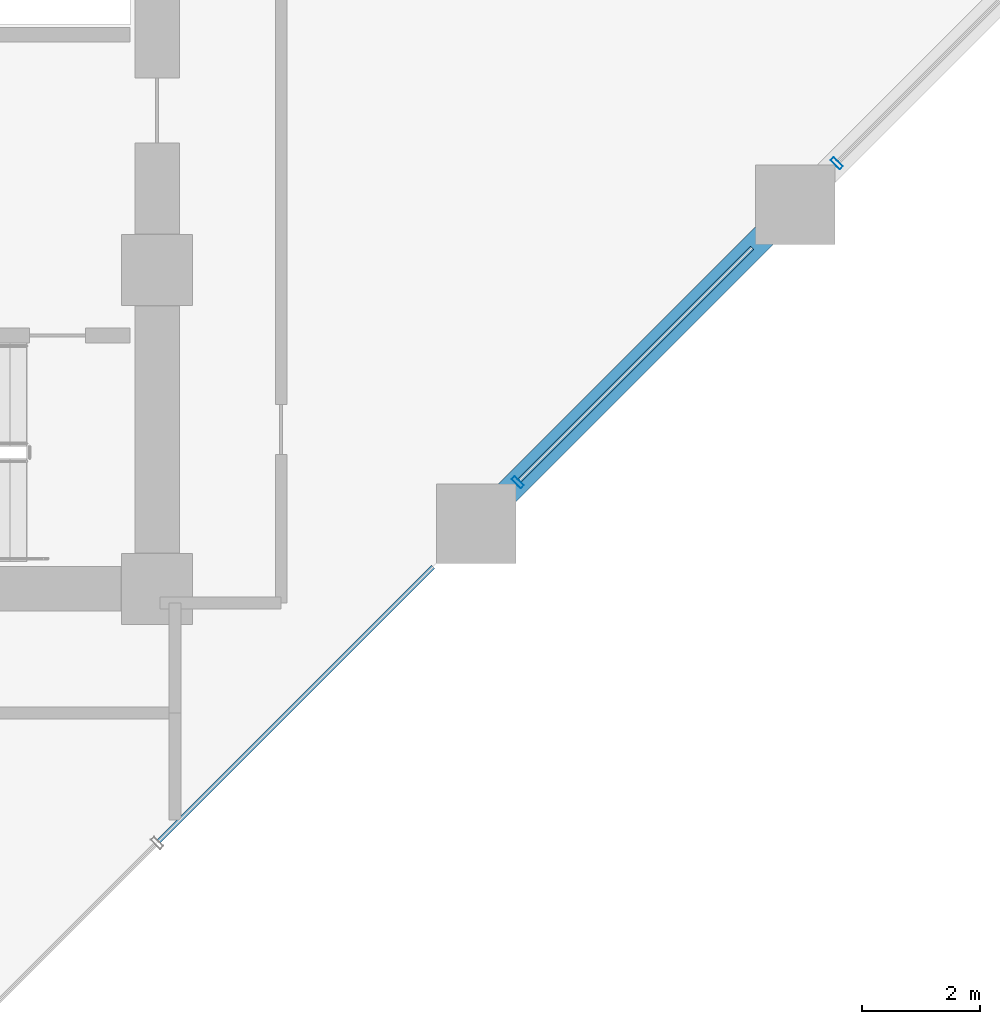
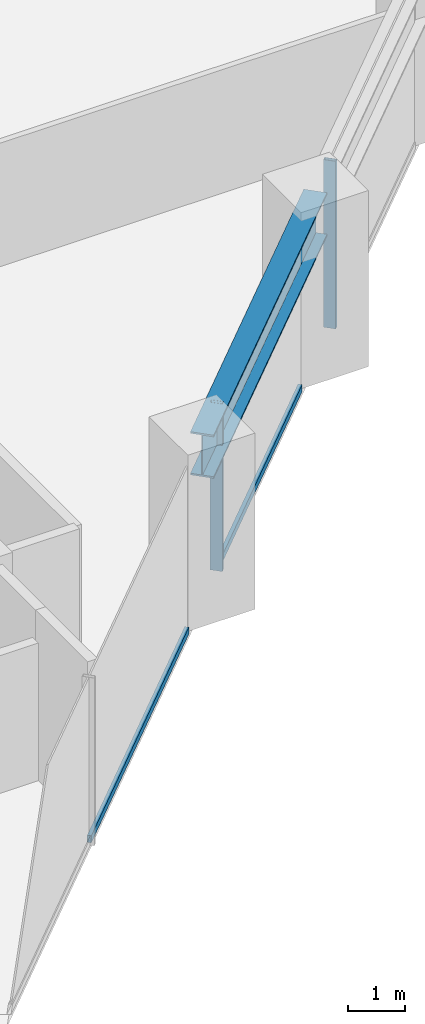
# One storey, part 8 of 25: 4 members, 1 beam, 1 element without a shape of its own.
"""IFC4 building model written with IfcOpenShell, lengths in metres."""

from ifc_helpers import new_model, si_unit, direction, frame, origin, origin_2d, place, context, subcontext, project, spatial, hollow_rectangle, i_section, extrude, material, layer, layer_set, material_profile, profile_set, type_object, element, aggregate, save


model = new_model("IFC4")

# Units and contexts
model_context = context("Model", 3, precision=1e-05, world=origin(), true_north=direction((0.0, 1.0)))
body_context = subcontext(model_context, "Body", "Model", "MODEL_VIEW")
ifc_project = project(units=[si_unit("LENGTHUNIT", "METRE"), si_unit("AREAUNIT", "SQUARE_METRE"), si_unit("VOLUMEUNIT", "CUBIC_METRE"), si_unit("PLANEANGLEUNIT", "RADIAN"), si_unit("MASSUNIT", "GRAM", prefix="KILO")], contexts=[model_context])

# Site, building, storey
site_placement = place(None, origin())
site = spatial("IfcSite", under=ifc_project, at=site_placement, CompositionType="ELEMENT")
building_placement = place(site_placement, origin())
building = spatial("IfcBuilding", under=site, at=building_placement, Name="Surkhivell Harbour Commons", CompositionType="ELEMENT")
storey_placement = place(building_placement, frame((0.0, 0.0, 33.75)))
storey = spatial("IfcBuildingStorey", under=building, at=storey_placement, Name="L08", CompositionType="ELEMENT", Elevation=33.75)

# Beam
ifc_material_1 = material(Name="Steel S460", Category="steel")
ifc_material_profile_1 = material_profile(ifc_material_1, i_section(OverallWidth=0.419921875, OverallDepth=0.9208984375, WebThickness=0.021484375, FlangeThickness=0.03662109375, at=origin_2d()), Name="UB914x419x388")
ifc_profile_set_1 = profile_set([ifc_material_profile_1], Name="Steel S460")
beam_type = type_object("IfcBeamType", Name="BM-SPN-914A", PredefinedType="SPANDREL", material=ifc_profile_set_1)
beam_placement = place(storey_placement, frame((16.199951171875, -9.699951171875, 3.109619140625), z_axis=(0.707122765516, 0.707090796496, 0.0), x_axis=(-0.707090796496, 0.707122765516, 0.0)))
element("IfcBeam", 1, at=beam_placement, inside=storey, type_object=beam_type, Name="L08 Tube Spandrel (16.2,-9.7)", PredefinedType="SPANDREL", context=body_context, shape_type="SweptSolid", body=[
    extrude(i_section(OverallWidth=0.419921875, OverallDepth=0.9208984375, WebThickness=0.021484375, FlangeThickness=0.03662109375, at=origin_2d()), origin(), (0.0, 0.0, 1.0), 7.63671875),
])

# Curtain wall, members
ifc_material_2 = material(Name="Anodised pale-metal aluminium and insulated glazing", Category="aluminium")
ifc_layer = layer(ifc_material_2, 0.219970703125)
ifc_layer_set = layer_set([ifc_layer], Name="Anodised pale-metal aluminium and insulated glazing")
curtain_wall_type = type_object("IfcCurtainWallType", Name="CW-SYS-Z1", PredefinedType="NOTDEFINED", material=ifc_layer_set)
curtain_wall_placement = place(storey_placement, origin())
curtain_wall = element("IfcCurtainWall", 2, at=curtain_wall_placement, inside=storey, type_object=curtain_wall_type, Name="L08 Curtain Wall CW-L08-E01", PredefinedType="NOTDEFINED")
ifc_material_3 = material(Name="Anodised pale-metal aluminium alloy 6063-T6", Category="aluminium")
ifc_material_profile_2 = material_profile(ifc_material_3, hollow_rectangle(XDim=0.074951171875, YDim=0.219970703125, WallThickness=0.00390625, at=origin_2d()), Name="ALU-MULL-75x220")
ifc_profile_set_2 = profile_set([ifc_material_profile_2], Name="Anodised pale-metal aluminium alloy 6063-T6")
member_type_1 = type_object("IfcMemberType", Name="CWM-220", PredefinedType="MULLION", material=ifc_profile_set_2)
member_1_placement = place(storey_placement, frame((16.9033203125, -8.99658203125, 0.0), z_axis=(0.0, 0.0, 1.0), x_axis=(0.707106781187, 0.707106781187, 0.0)))
member_1 = element("IfcMember", 3, at=member_1_placement, type_object=member_type_1, Name="CW-Z1 mullion 4", PredefinedType="MULLION", context=body_context, shape_type="SweptSolid", body=[
    extrude(hollow_rectangle(XDim=0.074951171875, YDim=0.219970703125, WallThickness=0.00390625, at=origin_2d()), origin(), (0.0, 0.0, 1.0), 3.570068359375),
])
member_2_placement = place(storey_placement, frame((22.30322265625, -3.5966796875, 0.0), z_axis=(0.0, 0.0, 1.0), x_axis=(0.707106781187, 0.707106781187, 0.0)))
member_2 = element("IfcMember", 4, at=member_2_placement, type_object=member_type_1, Name="CW-Z1 mullion 5", PredefinedType="MULLION", context=body_context, shape_type="SweptSolid", body=[
    extrude(hollow_rectangle(XDim=0.074951171875, YDim=0.219970703125, WallThickness=0.00390625, at=origin_2d()), origin(), (0.0, 0.0, 1.0), 3.570068359375),
])
ifc_material_profile_3 = material_profile(ifc_material_3, hollow_rectangle(XDim=0.074951171875, YDim=0.14990234375, WallThickness=0.00341796875, at=origin_2d()), Name="ALU-TRAN-75x150")
ifc_profile_set_3 = profile_set([ifc_material_profile_3], Name="Anodised pale-metal aluminium alloy 6063-T6")
member_type_2 = type_object("IfcMemberType", Name="CWT-150", PredefinedType="USERDEFINED", material=ifc_profile_set_3)
member_3_placement = place(storey_placement, frame((10.826416015625, -15.073486328125, 0.074951171875), z_axis=(0.70712536896, 0.707088192925, 0.0), x_axis=(-0.707088192925, 0.70712536896, 0.0)))
member_3 = element("IfcMember", 5, at=member_3_placement, type_object=member_type_2, Name="CW-Z1 transom 3.1", ObjectType="TRANSOM", PredefinedType="USERDEFINED", context=body_context, shape_type="SweptSolid", body=[
    extrude(hollow_rectangle(XDim=0.074951171875, YDim=0.14990234375, WallThickness=0.00341796875, at=origin_2d()), origin(), (0.0, 0.0, 1.0), 6.567138671875),
])
member_4_placement = place(storey_placement, frame((16.929931640625, -8.97021484375, 0.074951171875), z_axis=(0.707084874754, 0.70712868694, 0.0), x_axis=(-0.70712868694, 0.707084874754, 0.0)))
member_4 = element("IfcMember", 6, at=member_4_placement, type_object=member_type_2, Name="CW-Z1 transom 4.1", ObjectType="TRANSOM", PredefinedType="USERDEFINED", context=body_context, shape_type="SweptSolid", body=[
    extrude(hollow_rectangle(XDim=0.074951171875, YDim=0.14990234375, WallThickness=0.00341796875, at=origin_2d()), origin(), (0.0, 0.0, 1.0), 5.572509765625),
])
aggregate(curtain_wall, [member_3, member_1, member_4, member_2])

save(model, "model.ifc")
